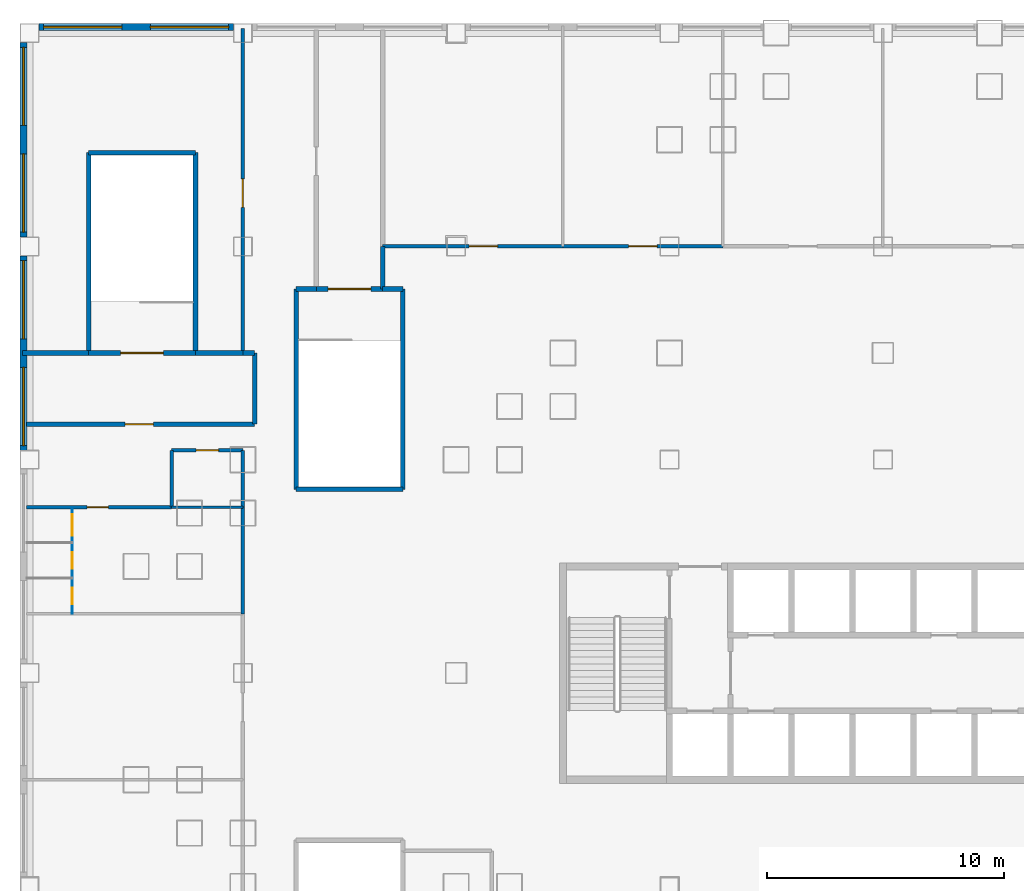
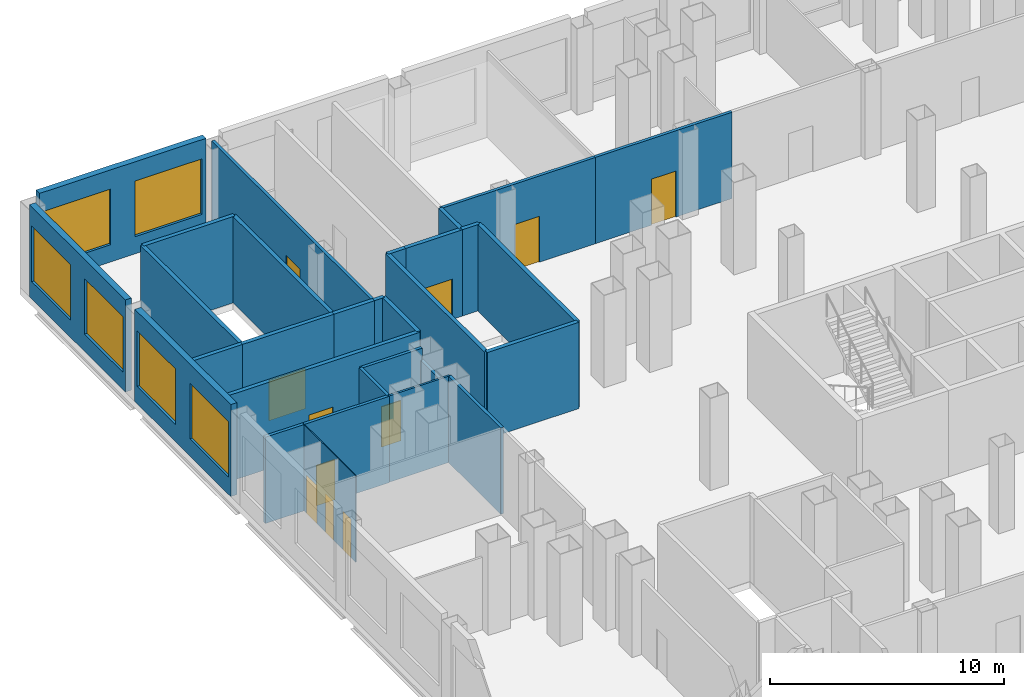
# One storey, part 5 of 13: 29 walls, 11 doors, 6 windows, 17 openings.
"""IFC4 building model written with IfcOpenShell, lengths in metres."""

from ifc_helpers import new_model, si_unit, direction, frame, frame_2d, origin, place, context, subcontext, project, spatial, rectangle, extrude, material, layer, layer_set, type_object, element, fill, save


model = new_model("IFC4")

# Units and contexts
model_context = context("Model", 3, precision=1e-05, world=origin(), true_north=direction((0.0, 1.0)))
body_context = subcontext(model_context, "Body", "Model", "MODEL_VIEW")
ifc_project = project(units=[si_unit("LENGTHUNIT", "METRE"), si_unit("AREAUNIT", "SQUARE_METRE"), si_unit("VOLUMEUNIT", "CUBIC_METRE"), si_unit("PLANEANGLEUNIT", "RADIAN"), si_unit("MASSUNIT", "GRAM", prefix="KILO")], contexts=[model_context])

# Site, building, storey
site_placement = place(None, origin())
site = spatial("IfcSite", under=ifc_project, at=site_placement, CompositionType="ELEMENT")
building_placement = place(site_placement, origin())
building = spatial("IfcBuilding", under=site, at=building_placement, Name="Caravel Reach Hotel and Residences", CompositionType="ELEMENT")
storey_placement = place(building_placement, frame((0.0, 0.0, 28.800048828125)))
storey = spatial("IfcBuildingStorey", under=building, at=storey_placement, Name="L05", CompositionType="ELEMENT", Elevation=28.800048828125)

# Wall, opening, door
ifc_material_1 = material(Name="Autoclaved aerated block wall")
ifc_layer_1 = layer(ifc_material_1, 0.199951171875)
ifc_layer_set_1 = layer_set([ifc_layer_1], Name="Compartment wall 200 mm EI 120")
wall_type_1 = type_object("IfcWallType", Name="Compartment wall 200 mm EI 120", PredefinedType="PARTITIONING", material=ifc_layer_set_1)
wall_1_placement = place(storey_placement, frame((-4.6201171875, 37.5, 0.0), z_axis=(0.0, 0.0, 1.0), x_axis=(1.0, 0.0, 0.0)))
wall_1 = element("IfcWall", 1, at=wall_1_placement, inside=storey, type_object=wall_type_1, Name="L05 wall w050", PredefinedType="PARTITIONING", context=body_context, shape_type="SweptSolid", body=[
    extrude(rectangle(XDim=9.6201171875, YDim=0.199951171875, at=frame_2d((4.81005859375, 0.0))), origin(), (0.0, 0.0, 1.0), 4.5),
])
opening_1_placement = place(wall_1_placement, frame((4.14990234375, 0.0, 0.0)))
opening_1 = element("IfcOpeningElement", 2, at=opening_1_placement, cuts=wall_1, Name="Opening D05-022", PredefinedType="OPENING", context=body_context, shape_type="SweptSolid", body=[
    extrude(rectangle(XDim=1.199951171875, YDim=2.10009765625, at=frame_2d((0.60009765625, 1.050048828125))), frame((0.0, 0.10986328125, 0.0), z_axis=(0.0, -1.0, 0.0), x_axis=(1.0, 0.0, 0.0)), (0.0, 0.0, 1.0), 0.219970703125),
])
ifc_material_2 = material(Name="Steel fire door leaf", Category="steel")
door_type_1 = type_object("IfcDoorType", Name="Fire lobby door 1200 x 2100 EI 90", OperationType="SINGLE_SWING_LEFT", PredefinedType="DOOR", material=ifc_material_2)
door_1_placement = place(opening_1_placement, origin())
door_1 = element("IfcDoor", 3, at=door_1_placement, inside=storey, type_object=door_type_1, Name="door D05-022", OperationType="SINGLE_SWING_LEFT", OverallHeight=2.10009765625, OverallWidth=1.199951171875, PredefinedType="DOOR", context=body_context, shape_type="SweptSolid", body=[
    extrude(rectangle(XDim=1.199951171875, YDim=2.10009765625, at=frame_2d((0.60009765625, 1.050048828125))), frame((0.0, 0.02490234375, 0.0), z_axis=(0.0, -1.0, 0.0), x_axis=(1.0, 0.0, 0.0)), (0.0, 0.0, 1.0), 0.050048828125),
])
fill(opening_1, door_1)

# Walls
wall_2_placement = place(storey_placement, frame((4.5, 40.5, 0.0), z_axis=(0.0, 0.0, 1.0), x_axis=(1.0, 0.0, 0.0)))
element("IfcWall", 4, at=wall_2_placement, inside=storey, type_object=wall_type_1, Name="L05 wall w054", PredefinedType="PARTITIONING", context=body_context, shape_type="SweptSolid", body=[
    extrude(rectangle(XDim=0.5, YDim=0.199951171875, at=frame_2d((0.25, 0.0))), origin(), (0.0, 0.0, 1.0), 4.5),
])
wall_3_placement = place(storey_placement, frame((-4.7900390625, 40.5, 0.0), z_axis=(0.0, 0.0, 1.0), x_axis=(1.0, 0.0, 0.0)))
element("IfcWall", 5, at=wall_3_placement, inside=storey, type_object=wall_type_1, Name="L05 wall w055", PredefinedType="PARTITIONING", context=body_context, shape_type="SweptSolid", body=[
    extrude(rectangle(XDim=2.7900390625, YDim=0.199951171875, at=frame_2d((1.39501953125, 0.0))), origin(), (0.0, 0.0, 1.0), 4.5),
])
wall_4_placement = place(storey_placement, frame((2.5, 40.5, 0.0), z_axis=(0.0, 0.0, 1.0), x_axis=(1.0, 0.0, 0.0)))
element("IfcWall", 6, at=wall_4_placement, inside=storey, type_object=wall_type_1, Name="L05 wall w056", PredefinedType="PARTITIONING", context=body_context, shape_type="SweptSolid", body=[
    extrude(rectangle(XDim=2.0, YDim=0.199951171875, at=frame_2d((1.0, 0.0))), origin(), (0.0, 0.0, 1.0), 4.5),
])
wall_5_placement = place(storey_placement, frame((10.39990234375, 43.199951171875, 0.0), z_axis=(0.0, 0.0, 1.0), x_axis=(0.0, 1.0, 0.0)))
element("IfcWall", 7, at=wall_5_placement, inside=storey, type_object=wall_type_1, Name="L05 wall w061", PredefinedType="PARTITIONING", context=body_context, shape_type="SweptSolid", body=[
    extrude(rectangle(XDim=1.800048828125, YDim=0.199951171875, at=frame_2d((0.89990234375, 0.0))), origin(), (0.0, 0.0, 1.0), 4.5),
])
wall_6_placement = place(storey_placement, frame((5.0, 37.5, 0.0), z_axis=(0.0, 0.0, 1.0), x_axis=(0.0, 1.0, 0.0)))
element("IfcWall", 8, at=wall_6_placement, inside=storey, type_object=wall_type_1, Name="L05 wall w066", PredefinedType="PARTITIONING", context=body_context, shape_type="SweptSolid", body=[
    extrude(rectangle(XDim=3.0, YDim=0.199951171875, at=frame_2d((1.5, 0.0))), origin(), (0.0, 0.0, 1.0), 4.5),
])

# Wall, opening, door
ifc_material_3 = material(Name="Gypsum board on steel stud, fire-rated", Category="steel")
ifc_layer_2 = layer(ifc_material_3, 0.14990234375)
ifc_layer_set_2 = layer_set([ifc_layer_2], Name="Corridor wall 150 mm EI 60")
wall_type_2 = type_object("IfcWallType", Name="Corridor wall 150 mm EI 60", PredefinedType="PARTITIONING", material=ifc_layer_set_2)
wall_7_placement = place(storey_placement, frame((-4.6201171875, 34.0, 0.0), z_axis=(0.0, 0.0, 1.0), x_axis=(1.0, 0.0, 0.0)))
wall_7 = element("IfcWall", 9, at=wall_7_placement, inside=storey, type_object=wall_type_2, Name="L05 wall w003", PredefinedType="PARTITIONING", context=body_context, shape_type="SweptSolid", body=[
    extrude(rectangle(XDim=6.1201171875, YDim=0.14990234375, at=frame_2d((3.06005859375, 0.0))), origin(), (0.0, 0.0, 1.0), 4.5),
])
opening_2_placement = place(wall_7_placement, frame((2.550048828125, 0.0, 0.0)))
opening_2 = element("IfcOpeningElement", 10, at=opening_2_placement, cuts=wall_7, Name="Opening D05-030", PredefinedType="OPENING", context=body_context, shape_type="SweptSolid", body=[
    extrude(rectangle(XDim=0.89990234375, YDim=2.10009765625, at=frame_2d((0.449951171875, 1.050048828125))), frame((0.0, 0.0849609375, 0.0), z_axis=(0.0, -1.0, 0.0), x_axis=(1.0, 0.0, 0.0)), (0.0, 0.0, 1.0), 0.169921875),
])
ifc_material_4 = material(Name="Timber and steel door leaf", Category="steel")
door_type_2 = type_object("IfcDoorType", Name="Door 900 x 2100 timber", OperationType="SINGLE_SWING_LEFT", PredefinedType="DOOR", material=ifc_material_4)
door_2_placement = place(opening_2_placement, origin())
door_2 = element("IfcDoor", 11, at=door_2_placement, inside=storey, type_object=door_type_2, Name="door D05-030", OperationType="SINGLE_SWING_RIGHT", OverallHeight=2.10009765625, OverallWidth=0.89990234375, PredefinedType="DOOR", context=body_context, shape_type="SweptSolid", body=[
    extrude(rectangle(XDim=0.89990234375, YDim=2.10009765625, at=frame_2d((0.449951171875, 1.050048828125))), frame((0.0, 0.02490234375, 0.0), z_axis=(0.0, -1.0, 0.0), x_axis=(1.0, 0.0, 0.0)), (0.0, 0.0, 1.0), 0.050048828125),
])
fill(opening_2, door_2)

wall_8_placement = place(storey_placement, frame((1.5, 36.39990234375, 0.0), z_axis=(0.0, 0.0, 1.0), x_axis=(1.0, 0.0, 0.0)))
wall_8 = element("IfcWall", 12, at=wall_8_placement, inside=storey, type_object=wall_type_2, Name="L05 wall w006", PredefinedType="PARTITIONING", context=body_context, shape_type="SweptSolid", body=[
    extrude(rectangle(XDim=3.0, YDim=0.14990234375, at=frame_2d((1.5, 0.0))), origin(), (0.0, 0.0, 1.0), 4.5),
])
opening_3_placement = place(wall_8_placement, frame((1.02490234375, 0.0, 0.0)))
opening_3 = element("IfcOpeningElement", 13, at=opening_3_placement, cuts=wall_8, Name="Opening D05-031", PredefinedType="OPENING", context=body_context, shape_type="SweptSolid", body=[
    extrude(rectangle(XDim=0.949951171875, YDim=2.10009765625, at=frame_2d((0.47509765625, 1.050048828125))), frame((0.0, 0.0849609375, 0.0), z_axis=(0.0, -1.0, 0.0), x_axis=(1.0, 0.0, 0.0)), (0.0, 0.0, 1.0), 0.169921875),
])
ifc_material_5 = material(Name="Timber and steel door leaf", Category="steel")
door_type_3 = type_object("IfcDoorType", Name="Accessible WC door 950 x 2100", OperationType="SINGLE_SWING_LEFT", PredefinedType="DOOR", material=ifc_material_5)
door_3_placement = place(opening_3_placement, origin())
door_3 = element("IfcDoor", 14, at=door_3_placement, inside=storey, type_object=door_type_3, Name="door D05-031", OperationType="SINGLE_SWING_RIGHT", OverallHeight=2.10009765625, OverallWidth=0.949951171875, PredefinedType="DOOR", context=body_context, shape_type="SweptSolid", body=[
    extrude(rectangle(XDim=0.949951171875, YDim=2.10009765625, at=frame_2d((0.47509765625, 1.050048828125))), frame((0.0, 0.02490234375, 0.0), z_axis=(0.0, -1.0, 0.0), x_axis=(1.0, 0.0, 0.0)), (0.0, 0.0, 1.0), 0.050048828125),
])
fill(opening_3, door_3)

wall_9_placement = place(storey_placement, frame((10.39990234375, 45.0, 0.0), z_axis=(0.0, 0.0, 1.0), x_axis=(1.0, 0.0, 0.0)))
wall_9 = element("IfcWall", 15, at=wall_9_placement, inside=storey, type_object=wall_type_2, Name="L05 wall w009", PredefinedType="PARTITIONING", context=body_context, shape_type="SweptSolid", body=[
    extrude(rectangle(XDim=7.60009765625, YDim=0.14990234375, at=frame_2d((3.800048828125, 0.0))), origin(), (0.0, 0.0, 1.0), 4.5),
])
opening_4_placement = place(wall_9_placement, frame((3.64990234375, 0.0, 0.0)))
opening_4 = element("IfcOpeningElement", 16, at=opening_4_placement, cuts=wall_9, Name="Opening D05-042", PredefinedType="OPENING", context=body_context, shape_type="SweptSolid", body=[
    extrude(rectangle(XDim=1.199951171875, YDim=2.39990234375, at=frame_2d((0.60009765625, 1.199951171875))), frame((0.0, 0.0849609375, 0.0), z_axis=(0.0, -1.0, 0.0), x_axis=(1.0, 0.0, 0.0)), (0.0, 0.0, 1.0), 0.169921875),
])
ifc_material_6 = material(Name="Timber and steel door leaf", Category="steel")
door_type_4 = type_object("IfcDoorType", Name="Glazed door 1200 x 2400", OperationType="SINGLE_SWING_LEFT", PredefinedType="DOOR", material=ifc_material_6)
door_4_placement = place(opening_4_placement, origin())
door_4 = element("IfcDoor", 17, at=door_4_placement, inside=storey, type_object=door_type_4, Name="door D05-042", OperationType="SINGLE_SWING_RIGHT", OverallHeight=2.39990234375, OverallWidth=1.199951171875, PredefinedType="DOOR", context=body_context, shape_type="SweptSolid", body=[
    extrude(rectangle(XDim=1.199951171875, YDim=2.39990234375, at=frame_2d((0.60009765625, 1.199951171875))), frame((0.0, 0.02490234375, 0.0), z_axis=(0.0, -1.0, 0.0), x_axis=(1.0, 0.0, 0.0)), (0.0, 0.0, 1.0), 0.050048828125),
])
fill(opening_4, door_4)

wall_10_placement = place(storey_placement, frame((18.0, 45.0, 0.0), z_axis=(0.0, 0.0, 1.0), x_axis=(1.0, 0.0, 0.0)))
wall_10 = element("IfcWall", 18, at=wall_10_placement, inside=storey, type_object=wall_type_2, Name="L05 wall w010", PredefinedType="PARTITIONING", context=body_context, shape_type="SweptSolid", body=[
    extrude(rectangle(XDim=6.75, YDim=0.14990234375, at=frame_2d((3.375, 0.0))), origin(), (0.0, 0.0, 1.0), 4.5),
])
opening_5_placement = place(wall_10_placement, frame((2.77490234375, 0.0, 0.0)))
opening_5 = element("IfcOpeningElement", 19, at=opening_5_placement, cuts=wall_10, Name="Opening D05-043", PredefinedType="OPENING", context=body_context, shape_type="SweptSolid", body=[
    extrude(rectangle(XDim=1.199951171875, YDim=2.39990234375, at=frame_2d((0.60009765625, 1.199951171875))), frame((0.0, 0.0849609375, 0.0), z_axis=(0.0, -1.0, 0.0), x_axis=(1.0, 0.0, 0.0)), (0.0, 0.0, 1.0), 0.169921875),
])
door_5_placement = place(opening_5_placement, origin())
door_5 = element("IfcDoor", 20, at=door_5_placement, inside=storey, type_object=door_type_4, Name="door D05-043", OperationType="SINGLE_SWING_LEFT", OverallHeight=2.39990234375, OverallWidth=1.199951171875, PredefinedType="DOOR", context=body_context, shape_type="SweptSolid", body=[
    extrude(rectangle(XDim=1.199951171875, YDim=2.39990234375, at=frame_2d((0.60009765625, 1.199951171875))), frame((0.0, 0.02490234375, 0.0), z_axis=(0.0, -1.0, 0.0), x_axis=(1.0, 0.0, 0.0)), (0.0, 0.0, 1.0), 0.050048828125),
])
fill(opening_5, door_5)

# Walls
wall_11_placement = place(storey_placement, frame((1.5, 34.0, 0.0), z_axis=(0.0, 0.0, 1.0), x_axis=(0.0, 1.0, 0.0)))
element("IfcWall", 21, at=wall_11_placement, inside=storey, type_object=wall_type_2, Name="L05 wall w020", PredefinedType="PARTITIONING", context=body_context, shape_type="SweptSolid", body=[
    extrude(rectangle(XDim=2.39990234375, YDim=0.14990234375, at=frame_2d((1.199951171875, 0.0))), origin(), (0.0, 0.0, 1.0), 4.5),
])
wall_12_placement = place(storey_placement, frame((4.5, 29.5, 0.0), z_axis=(0.0, 0.0, 1.0), x_axis=(0.0, 1.0, 0.0)))
element("IfcWall", 22, at=wall_12_placement, inside=storey, type_object=wall_type_2, Name="L05 wall w024", PredefinedType="PARTITIONING", context=body_context, shape_type="SweptSolid", body=[
    extrude(rectangle(XDim=4.5, YDim=0.14990234375, at=frame_2d((2.25, 0.0))), origin(), (0.0, 0.0, 1.0), 4.5),
])
wall_13_placement = place(storey_placement, frame((4.5, 34.0, 0.0), z_axis=(0.0, 0.0, 1.0), x_axis=(0.0, 1.0, 0.0)))
element("IfcWall", 23, at=wall_13_placement, inside=storey, type_object=wall_type_2, Name="L05 wall w025", PredefinedType="PARTITIONING", context=body_context, shape_type="SweptSolid", body=[
    extrude(rectangle(XDim=2.39990234375, YDim=0.14990234375, at=frame_2d((1.199951171875, 0.0))), origin(), (0.0, 0.0, 1.0), 3.8798828125),
])

# Wall, opening, door
wall_14_placement = place(storey_placement, frame((4.5, 40.5, 0.0), z_axis=(0.0, 0.0, 1.0), x_axis=(0.0, 1.0, 0.0)))
wall_14 = element("IfcWall", 24, at=wall_14_placement, inside=storey, type_object=wall_type_2, Name="L05 wall w026", PredefinedType="PARTITIONING", context=body_context, shape_type="SweptSolid", body=[
    extrude(rectangle(XDim=13.68994140625, YDim=0.14990234375, at=frame_2d((6.844970703125, 0.0))), origin(), (0.0, 0.0, 1.0), 4.5),
])
opening_6_placement = place(wall_14_placement, frame((6.14990234375, 0.0, 0.0)))
opening_6 = element("IfcOpeningElement", 25, at=opening_6_placement, cuts=wall_14, Name="Opening D05-032", PredefinedType="OPENING", context=body_context, shape_type="SweptSolid", body=[
    extrude(rectangle(XDim=1.199951171875, YDim=2.39990234375, at=frame_2d((0.60009765625, 1.199951171875))), frame((0.0, 0.0849609375, 0.0), z_axis=(0.0, -1.0, 0.0), x_axis=(1.0, 0.0, 0.0)), (0.0, 0.0, 1.0), 0.169921875),
])
door_6_placement = place(opening_6_placement, origin())
door_6 = element("IfcDoor", 26, at=door_6_placement, inside=storey, type_object=door_type_4, Name="door D05-032", OperationType="SINGLE_SWING_LEFT", OverallHeight=2.39990234375, OverallWidth=1.199951171875, PredefinedType="DOOR", context=body_context, shape_type="SweptSolid", body=[
    extrude(rectangle(XDim=1.199951171875, YDim=2.39990234375, at=frame_2d((0.60009765625, 1.199951171875))), frame((0.0, 0.02490234375, 0.0), z_axis=(0.0, -1.0, 0.0), x_axis=(1.0, 0.0, 0.0)), (0.0, 0.0, 1.0), 0.050048828125),
])
fill(opening_6, door_6)

# Wall, openings, windows
ifc_material_7 = material(Name="Insulated wall, stone cladding", Category="masonry")
ifc_layer_3 = layer(ifc_material_7, 0.300048828125)
ifc_layer_set_3 = layer_set([ifc_layer_3], Name="EW2 Podium stone-clad wall")
wall_type_3 = type_object("IfcWallType", Name="EW2 Podium stone-clad wall", PredefinedType="SOLIDWALL", material=ifc_layer_set_3)
wall_15_placement = place(storey_placement, frame((4.10009765625, 54.25, 0.0), z_axis=(0.0, 0.0, 1.0), x_axis=(-1.0, 0.0, 0.0)))
wall_15 = element("IfcWall", 27, at=wall_15_placement, inside=storey, type_object=wall_type_3, Name="External wall L05 N2.10", PredefinedType="SOLIDWALL", context=body_context, shape_type="SweptSolid", body=[
    extrude(rectangle(XDim=8.2001953125, YDim=0.300048828125, at=frame_2d((4.10009765625, 0.0))), origin(), (0.0, 0.0, 1.0), 4.800048828125),
])
opening_7_placement = place(wall_15_placement, frame((0.199951171875, 0.0, 0.89990234375)))
opening_7 = element("IfcOpeningElement", 28, at=opening_7_placement, cuts=wall_15, Name="Opening WN32", PredefinedType="OPENING", context=body_context, shape_type="SweptSolid", body=[
    extrude(rectangle(XDim=3.300048828125, YDim=2.89990234375, at=frame_2d((1.64990234375, 1.449951171875))), frame((0.0, 0.159912109375, 0.0), z_axis=(0.0, -1.0, 0.0), x_axis=(1.0, 0.0, 0.0)), (0.0, 0.0, 1.0), 0.320068359375),
])
opening_8_placement = place(wall_15_placement, frame((4.699951171875, 0.0, 0.89990234375)))
opening_8 = element("IfcOpeningElement", 29, at=opening_8_placement, cuts=wall_15, Name="Opening WN32", PredefinedType="OPENING", context=body_context, shape_type="SweptSolid", body=[
    extrude(rectangle(XDim=3.300048828125, YDim=2.89990234375, at=frame_2d((1.64990234375, 1.449951171875))), frame((0.0, 0.159912109375, 0.0), z_axis=(0.0, -1.0, 0.0), x_axis=(1.0, 0.0, 0.0)), (0.0, 0.0, 1.0), 0.320068359375),
])
ifc_material_8 = material(Name="Dark low-e glazing in black aluminium frame", Category="aluminium")
window_type = type_object("IfcWindowType", Name="Podium window 3300 x 2900", PartitioningType="SINGLE_PANEL", PredefinedType="WINDOW", material=ifc_material_8)
window_1_placement = place(opening_7_placement, origin())
window_1 = element("IfcWindow", 30, at=window_1_placement, inside=storey, type_object=window_type, Name="Window L05 N2.10.1", OverallHeight=2.89990234375, OverallWidth=3.300048828125, PartitioningType="SINGLE_PANEL", PredefinedType="WINDOW", context=body_context, shape_type="SweptSolid", body=[
    extrude(rectangle(XDim=3.300048828125, YDim=2.89990234375, at=frame_2d((1.64990234375, 1.449951171875))), frame((0.0, 0.030029296875, 0.0), z_axis=(0.0, -1.0, 0.0), x_axis=(1.0, 0.0, 0.0)), (0.0, 0.0, 1.0), 0.06005859375),
])
fill(opening_7, window_1)
window_2_placement = place(opening_8_placement, origin())
window_2 = element("IfcWindow", 31, at=window_2_placement, inside=storey, type_object=window_type, Name="Window L05 N2.10.2", OverallHeight=2.89990234375, OverallWidth=3.300048828125, PartitioningType="SINGLE_PANEL", PredefinedType="WINDOW", context=body_context, shape_type="SweptSolid", body=[
    extrude(rectangle(XDim=3.300048828125, YDim=2.89990234375, at=frame_2d((1.64990234375, 1.449951171875))), frame((0.0, 0.030029296875, 0.0), z_axis=(0.0, -1.0, 0.0), x_axis=(1.0, 0.0, 0.0)), (0.0, 0.0, 1.0), 0.06005859375),
])
fill(opening_8, window_2)

wall_16_placement = place(storey_placement, frame((-4.75, 53.60009765625, 0.0), z_axis=(0.0, 0.0, 1.0), x_axis=(0.0, -1.0, 0.0)))
wall_16 = element("IfcWall", 32, at=wall_16_placement, inside=storey, type_object=wall_type_3, Name="External wall L05 W3.1", PredefinedType="SOLIDWALL", context=body_context, shape_type="SweptSolid", body=[
    extrude(rectangle(XDim=8.2001953125, YDim=0.300048828125, at=frame_2d((4.10009765625, 0.0))), origin(), (0.0, 0.0, 1.0), 4.800048828125),
])
opening_9_placement = place(wall_16_placement, frame((0.199951171875, 0.0, 0.89990234375)))
opening_9 = element("IfcOpeningElement", 33, at=opening_9_placement, cuts=wall_16, Name="Opening WN32", PredefinedType="OPENING", context=body_context, shape_type="SweptSolid", body=[
    extrude(rectangle(XDim=3.300048828125, YDim=2.89990234375, at=frame_2d((1.64990234375, 1.449951171875))), frame((0.0, 0.159912109375, 0.0), z_axis=(0.0, -1.0, 0.0), x_axis=(1.0, 0.0, 0.0)), (0.0, 0.0, 1.0), 0.320068359375),
])
opening_10_placement = place(wall_16_placement, frame((4.699951171875, 0.0, 0.89990234375)))
opening_10 = element("IfcOpeningElement", 34, at=opening_10_placement, cuts=wall_16, Name="Opening WN32", PredefinedType="OPENING", context=body_context, shape_type="SweptSolid", body=[
    extrude(rectangle(XDim=3.300048828125, YDim=2.89990234375, at=frame_2d((1.64990234375, 1.449951171875))), frame((0.0, 0.159912109375, 0.0), z_axis=(0.0, -1.0, 0.0), x_axis=(1.0, 0.0, 0.0)), (0.0, 0.0, 1.0), 0.320068359375),
])
window_3_placement = place(opening_9_placement, origin())
window_3 = element("IfcWindow", 35, at=window_3_placement, inside=storey, type_object=window_type, Name="Window L05 W3.1.1", OverallHeight=2.89990234375, OverallWidth=3.300048828125, PartitioningType="SINGLE_PANEL", PredefinedType="WINDOW", context=body_context, shape_type="SweptSolid", body=[
    extrude(rectangle(XDim=3.300048828125, YDim=2.89990234375, at=frame_2d((1.64990234375, 1.449951171875))), frame((0.0, 0.030029296875, 0.0), z_axis=(0.0, -1.0, 0.0), x_axis=(1.0, 0.0, 0.0)), (0.0, 0.0, 1.0), 0.06005859375),
])
fill(opening_9, window_3)
window_4_placement = place(opening_10_placement, origin())
window_4 = element("IfcWindow", 36, at=window_4_placement, inside=storey, type_object=window_type, Name="Window L05 W3.1.2", OverallHeight=2.89990234375, OverallWidth=3.300048828125, PartitioningType="SINGLE_PANEL", PredefinedType="WINDOW", context=body_context, shape_type="SweptSolid", body=[
    extrude(rectangle(XDim=3.300048828125, YDim=2.89990234375, at=frame_2d((1.64990234375, 1.449951171875))), frame((0.0, 0.030029296875, 0.0), z_axis=(0.0, -1.0, 0.0), x_axis=(1.0, 0.0, 0.0)), (0.0, 0.0, 1.0), 0.06005859375),
])
fill(opening_10, window_4)

wall_17_placement = place(storey_placement, frame((-4.75, 44.60009765625, 0.0), z_axis=(0.0, 0.0, 1.0), x_axis=(0.0, -1.0, 0.0)))
wall_17 = element("IfcWall", 37, at=wall_17_placement, inside=storey, type_object=wall_type_3, Name="External wall L05 W3.2", PredefinedType="SOLIDWALL", context=body_context, shape_type="SweptSolid", body=[
    extrude(rectangle(XDim=8.2001953125, YDim=0.300048828125, at=frame_2d((4.10009765625, 0.0))), origin(), (0.0, 0.0, 1.0), 4.800048828125),
])
opening_11_placement = place(wall_17_placement, frame((0.199951171875, 0.0, 0.89990234375)))
opening_11 = element("IfcOpeningElement", 38, at=opening_11_placement, cuts=wall_17, Name="Opening WN32", PredefinedType="OPENING", context=body_context, shape_type="SweptSolid", body=[
    extrude(rectangle(XDim=3.300048828125, YDim=2.89990234375, at=frame_2d((1.64990234375, 1.449951171875))), frame((0.0, 0.159912109375, 0.0), z_axis=(0.0, -1.0, 0.0), x_axis=(1.0, 0.0, 0.0)), (0.0, 0.0, 1.0), 0.320068359375),
])
opening_12_placement = place(wall_17_placement, frame((4.699951171875, 0.0, 0.89990234375)))
opening_12 = element("IfcOpeningElement", 39, at=opening_12_placement, cuts=wall_17, Name="Opening WN32", PredefinedType="OPENING", context=body_context, shape_type="SweptSolid", body=[
    extrude(rectangle(XDim=3.300048828125, YDim=2.89990234375, at=frame_2d((1.64990234375, 1.449951171875))), frame((0.0, 0.159912109375, 0.0), z_axis=(0.0, -1.0, 0.0), x_axis=(1.0, 0.0, 0.0)), (0.0, 0.0, 1.0), 0.320068359375),
])
window_5_placement = place(opening_11_placement, origin())
window_5 = element("IfcWindow", 40, at=window_5_placement, inside=storey, type_object=window_type, Name="Window L05 W3.2.1", OverallHeight=2.89990234375, OverallWidth=3.300048828125, PartitioningType="SINGLE_PANEL", PredefinedType="WINDOW", context=body_context, shape_type="SweptSolid", body=[
    extrude(rectangle(XDim=3.300048828125, YDim=2.89990234375, at=frame_2d((1.64990234375, 1.449951171875))), frame((0.0, 0.030029296875, 0.0), z_axis=(0.0, -1.0, 0.0), x_axis=(1.0, 0.0, 0.0)), (0.0, 0.0, 1.0), 0.06005859375),
])
fill(opening_11, window_5)
window_6_placement = place(opening_12_placement, origin())
window_6 = element("IfcWindow", 41, at=window_6_placement, inside=storey, type_object=window_type, Name="Window L05 W3.2.2", OverallHeight=2.89990234375, OverallWidth=3.300048828125, PartitioningType="SINGLE_PANEL", PredefinedType="WINDOW", context=body_context, shape_type="SweptSolid", body=[
    extrude(rectangle(XDim=3.300048828125, YDim=2.89990234375, at=frame_2d((1.64990234375, 1.449951171875))), frame((0.0, 0.030029296875, 0.0), z_axis=(0.0, -1.0, 0.0), x_axis=(1.0, 0.0, 0.0)), (0.0, 0.0, 1.0), 0.06005859375),
])
fill(opening_12, window_6)

# Walls
ifc_material_9 = material(Name="Gypsum board on steel stud", Category="steel")
ifc_layer_4 = layer(ifc_material_9, 0.10009765625)
ifc_layer_set_4 = layer_set([ifc_layer_4], Name="Partition 100 mm")
wall_type_4 = type_object("IfcWallType", Name="Partition 100 mm", PredefinedType="PARTITIONING", material=ifc_layer_set_4)
wall_18_placement = place(storey_placement, frame((1.5, 34.0, 0.0), z_axis=(0.0, 0.0, 1.0), x_axis=(1.0, 0.0, 0.0)))
element("IfcWall", 42, at=wall_18_placement, inside=storey, type_object=wall_type_4, Name="L05 wall w034", PredefinedType="PARTITIONING", context=body_context, shape_type="SweptSolid", body=[
    extrude(rectangle(XDim=3.0, YDim=0.10009765625, at=frame_2d((1.5, 0.0))), origin(), (0.0, 0.0, 1.0), 4.5),
])
ifc_material_10 = material(Name="Concrete C60", Category="concrete")
ifc_layer_5 = layer(ifc_material_10, 0.199951171875)
ifc_layer_set_5 = layer_set([ifc_layer_5], Name="Stair enclosure wall 200 mm EI 120")
wall_type_5 = type_object("IfcWallType", Name="Stair enclosure wall 200 mm EI 120", PredefinedType="SHEAR", material=ifc_layer_set_5)
wall_19_placement = place(storey_placement, frame((6.75, 34.75, 0.0), z_axis=(0.0, 0.0, 1.0), x_axis=(1.0, 0.0, 0.0)))
element("IfcWall", 43, at=wall_19_placement, inside=storey, type_object=wall_type_5, Name="L05 wall w091", PredefinedType="SHEAR", context=body_context, shape_type="SweptSolid", body=[
    extrude(rectangle(XDim=4.5, YDim=0.199951171875, at=frame_2d((2.25, 0.0))), origin(), (0.0, 0.0, 1.0), 4.5),
])

# Wall, opening, door
wall_20_placement = place(storey_placement, frame((-2.0, 40.5, 0.0), z_axis=(0.0, 0.0, 1.0), x_axis=(1.0, 0.0, 0.0)))
wall_20 = element("IfcWall", 44, at=wall_20_placement, inside=storey, type_object=wall_type_5, Name="L05 wall w094", PredefinedType="SHEAR", context=body_context, shape_type="SweptSolid", body=[
    extrude(rectangle(XDim=4.5, YDim=0.199951171875, at=frame_2d((2.25, 0.0))), origin(), (0.0, 0.0, 1.0), 4.5),
])
opening_13_placement = place(wall_20_placement, frame((1.35009765625, 0.0, 0.0)))
opening_13 = element("IfcOpeningElement", 45, at=opening_13_placement, cuts=wall_20, Name="Opening D05-023", PredefinedType="OPENING", context=body_context, shape_type="SweptSolid", body=[
    extrude(rectangle(XDim=1.800048828125, YDim=2.10009765625, at=frame_2d((0.89990234375, 1.050048828125))), frame((0.0, 0.10986328125, 0.0), z_axis=(0.0, -1.0, 0.0), x_axis=(1.0, 0.0, 0.0)), (0.0, 0.0, 1.0), 0.219970703125),
])
ifc_material_11 = material(Name="Steel fire door leaf", Category="steel")
door_type_5 = type_object("IfcDoorType", Name="Stair door pair 1800 x 2100 EI 90", OperationType="DOUBLE_DOOR_SINGLE_SWING", PredefinedType="DOOR", material=ifc_material_11)
door_7_placement = place(opening_13_placement, origin())
door_7 = element("IfcDoor", 46, at=door_7_placement, inside=storey, type_object=door_type_5, Name="door D05-023", OperationType="DOUBLE_DOOR_SINGLE_SWING", OverallHeight=2.10009765625, OverallWidth=1.800048828125, PredefinedType="DOOR", context=body_context, shape_type="SweptSolid", body=[
    extrude(rectangle(XDim=1.800048828125, YDim=2.10009765625, at=frame_2d((0.89990234375, 1.050048828125))), frame((0.0, 0.02490234375, 0.0), z_axis=(0.0, -1.0, 0.0), x_axis=(1.0, 0.0, 0.0)), (0.0, 0.0, 1.0), 0.050048828125),
])
fill(opening_13, door_7)

# Walls
for number, where, z_axis, x_axis, name in (
    (47, (6.75, 43.199951171875, 0.0), (0.0, 0.0, 1.0), (1.0, 0.0, 0.0), "L05 wall w096"),
    (48, (10.39990234375, 43.199951171875, 0.0), (0.0, 0.0, 1.0), (1.0, 0.0, 0.0), "L05 wall w097"),
):
    element("IfcWall", number, at=place(storey_placement, frame(where, z_axis=z_axis, x_axis=x_axis)), inside=storey, type_object=wall_type_5, Name=name, PredefinedType="SHEAR", context=body_context, shape_type="SweptSolid", body=[
        extrude(rectangle(XDim=0.85009765625, YDim=0.199951171875, at=frame_2d((0.425048828125, 0.0))), origin(), (0.0, 0.0, 1.0), 4.5),
    ])

# Wall, opening, door
wall_21_placement = place(storey_placement, frame((7.60009765625, 43.199951171875, 0.0), z_axis=(0.0, 0.0, 1.0), x_axis=(1.0, 0.0, 0.0)))
wall_21 = element("IfcWall", 49, at=wall_21_placement, inside=storey, type_object=wall_type_5, Name="L05 wall w098", PredefinedType="SHEAR", context=body_context, shape_type="SweptSolid", body=[
    extrude(rectangle(XDim=2.7998046875, YDim=0.199951171875, at=frame_2d((1.39990234375, 0.0))), origin(), (0.0, 0.0, 1.0), 4.5),
])
opening_14_placement = place(wall_21_placement, frame((0.5, 0.0, 0.0)))
opening_14 = element("IfcOpeningElement", 50, at=opening_14_placement, cuts=wall_21, Name="Opening D05-015", PredefinedType="OPENING", context=body_context, shape_type="SweptSolid", body=[
    extrude(rectangle(XDim=1.800048828125, YDim=2.10009765625, at=frame_2d((0.89990234375, 1.050048828125))), frame((0.0, 0.10986328125, 0.0), z_axis=(0.0, -1.0, 0.0), x_axis=(1.0, 0.0, 0.0)), (0.0, 0.0, 1.0), 0.219970703125),
])
door_8_placement = place(opening_14_placement, origin())
door_8 = element("IfcDoor", 51, at=door_8_placement, inside=storey, type_object=door_type_5, Name="door D05-015", OperationType="DOUBLE_DOOR_SINGLE_SWING", OverallHeight=2.10009765625, OverallWidth=1.800048828125, PredefinedType="DOOR", context=body_context, shape_type="SweptSolid", body=[
    extrude(rectangle(XDim=1.800048828125, YDim=2.10009765625, at=frame_2d((0.89990234375, 1.050048828125))), frame((0.0, 0.02490234375, 0.0), z_axis=(0.0, -1.0, 0.0), x_axis=(1.0, 0.0, 0.0)), (0.0, 0.0, 1.0), 0.050048828125),
])
fill(opening_14, door_8)

# Walls
wall_22_placement = place(storey_placement, frame((-2.0, 48.949951171875, 0.0), z_axis=(0.0, 0.0, 1.0), x_axis=(1.0, 0.0, 0.0)))
element("IfcWall", 52, at=wall_22_placement, inside=storey, type_object=wall_type_5, Name="L05 wall w102", PredefinedType="SHEAR", context=body_context, shape_type="SweptSolid", body=[
    extrude(rectangle(XDim=4.5, YDim=0.199951171875, at=frame_2d((2.25, 0.0))), origin(), (0.0, 0.0, 1.0), 4.5),
])
for number, where, z_axis, x_axis, name in (
    (53, (-2.0, 40.5, 0.0), (0.0, 0.0, 1.0), (0.0, 1.0, 0.0), "L05 wall w105"),
    (54, (11.25, 34.75, 0.0), (0.0, 0.0, 1.0), (0.0, 1.0, 0.0), "L05 wall w106"),
    (55, (2.5, 40.5, 0.0), (0.0, 0.0, 1.0), (0.0, 1.0, 0.0), "L05 wall w110"),
    (56, (6.75, 34.75, 0.0), (0.0, 0.0, 1.0), (0.0, 1.0, 0.0), "L05 wall w116"),
):
    element("IfcWall", number, at=place(storey_placement, frame(where, z_axis=z_axis, x_axis=x_axis)), inside=storey, type_object=wall_type_5, Name=name, PredefinedType="SHEAR", context=body_context, shape_type="SweptSolid", body=[
        extrude(rectangle(XDim=8.449951171875, YDim=0.199951171875, at=frame_2d((4.22509765625, 0.0))), origin(), (0.0, 0.0, 1.0), 4.5),
    ])

# Wall, openings, doors
ifc_material_12 = material(Name="Laminate cubicle panel")
ifc_layer_6 = layer(ifc_material_12, 0.0400390625)
ifc_layer_set_6 = layer_set([ifc_layer_6], Name="WC cubicle partition 40 mm")
wall_type_6 = type_object("IfcWallType", Name="WC cubicle partition 40 mm", PredefinedType="PARTITIONING", material=ifc_layer_set_6)
wall_23_placement = place(storey_placement, frame((-2.699951171875, 29.5, 0.0), z_axis=(0.0, 0.0, 1.0), x_axis=(0.0, 1.0, 0.0)))
wall_23 = element("IfcWall", 57, at=wall_23_placement, inside=storey, type_object=wall_type_6, Name="L05 wall cbr03.f", PredefinedType="PARTITIONING", context=body_context, shape_type="SweptSolid", body=[
    extrude(rectangle(XDim=4.5, YDim=0.0400390625, at=frame_2d((2.25, 0.0))), origin(), (0.0, 0.0, 1.0), 4.5),
])
opening_15_placement = place(wall_23_placement, frame((0.39990234375, 0.0, 0.0)))
opening_15 = element("IfcOpeningElement", 58, at=opening_15_placement, cuts=wall_23, Name="Opening D05-050", PredefinedType="OPENING", context=body_context, shape_type="SweptSolid", body=[
    extrude(rectangle(XDim=0.699951171875, YDim=2.0, at=frame_2d((0.35009765625, 1.0))), frame((0.0, 0.030029296875, 0.0), z_axis=(0.0, -1.0, 0.0), x_axis=(1.0, 0.0, 0.0)), (0.0, 0.0, 1.0), 0.06005859375),
])
opening_16_placement = place(wall_23_placement, frame((1.89990234375, 0.0, 0.0)))
opening_16 = element("IfcOpeningElement", 59, at=opening_16_placement, cuts=wall_23, Name="Opening D05-051", PredefinedType="OPENING", context=body_context, shape_type="SweptSolid", body=[
    extrude(rectangle(XDim=0.699951171875, YDim=2.0, at=frame_2d((0.35009765625, 1.0))), frame((0.0, 0.030029296875, 0.0), z_axis=(0.0, -1.0, 0.0), x_axis=(1.0, 0.0, 0.0)), (0.0, 0.0, 1.0), 0.06005859375),
])
opening_17_placement = place(wall_23_placement, frame((3.300048828125, 0.0, 0.0)))
opening_17 = element("IfcOpeningElement", 60, at=opening_17_placement, cuts=wall_23, Name="Opening D05-052", PredefinedType="OPENING", context=body_context, shape_type="SweptSolid", body=[
    extrude(rectangle(XDim=0.89990234375, YDim=2.0, at=frame_2d((0.449951171875, 1.0))), frame((0.0, 0.030029296875, 0.0), z_axis=(0.0, -1.0, 0.0), x_axis=(1.0, 0.0, 0.0)), (0.0, 0.0, 1.0), 0.06005859375),
])
ifc_material_13 = material(Name="Timber and steel door leaf", Category="steel")
door_type_6 = type_object("IfcDoorType", Name="Accessible cubicle door 900 x 2000", OperationType="SINGLE_SWING_LEFT", PredefinedType="DOOR", material=ifc_material_13)
door_9_placement = place(opening_17_placement, origin())
door_9 = element("IfcDoor", 61, at=door_9_placement, inside=storey, type_object=door_type_6, Name="door D05-052", OperationType="SINGLE_SWING_RIGHT", OverallHeight=2.0, OverallWidth=0.89990234375, PredefinedType="DOOR", context=body_context, shape_type="SweptSolid", body=[
    extrude(rectangle(XDim=0.89990234375, YDim=2.0, at=frame_2d((0.449951171875, 1.0))), frame((0.0, 0.019775390625, 0.0), z_axis=(0.0, -1.0, 0.0), x_axis=(1.0, 0.0, 0.0)), (0.0, 0.0, 1.0), 0.03955078125),
])
fill(opening_17, door_9)
ifc_material_14 = material(Name="Timber and steel door leaf", Category="steel")
door_type_7 = type_object("IfcDoorType", Name="WC cubicle door 700 x 2000", OperationType="SINGLE_SWING_LEFT", PredefinedType="DOOR", material=ifc_material_14)
door_10_placement = place(opening_15_placement, origin())
door_10 = element("IfcDoor", 62, at=door_10_placement, inside=storey, type_object=door_type_7, Name="door D05-050", OperationType="SINGLE_SWING_LEFT", OverallHeight=2.0, OverallWidth=0.699951171875, PredefinedType="DOOR", context=body_context, shape_type="SweptSolid", body=[
    extrude(rectangle(XDim=0.699951171875, YDim=2.0, at=frame_2d((0.35009765625, 1.0))), frame((0.0, 0.019775390625, 0.0), z_axis=(0.0, -1.0, 0.0), x_axis=(1.0, 0.0, 0.0)), (0.0, 0.0, 1.0), 0.03955078125),
])
fill(opening_15, door_10)
door_11_placement = place(opening_16_placement, origin())
door_11 = element("IfcDoor", 63, at=door_11_placement, inside=storey, type_object=door_type_7, Name="door D05-051", OperationType="SINGLE_SWING_RIGHT", OverallHeight=2.0, OverallWidth=0.699951171875, PredefinedType="DOOR", context=body_context, shape_type="SweptSolid", body=[
    extrude(rectangle(XDim=0.699951171875, YDim=2.0, at=frame_2d((0.35009765625, 1.0))), frame((0.0, 0.019775390625, 0.0), z_axis=(0.0, -1.0, 0.0), x_axis=(1.0, 0.0, 0.0)), (0.0, 0.0, 1.0), 0.03955078125),
])
fill(opening_16, door_11)

save(model, "model.ifc")
